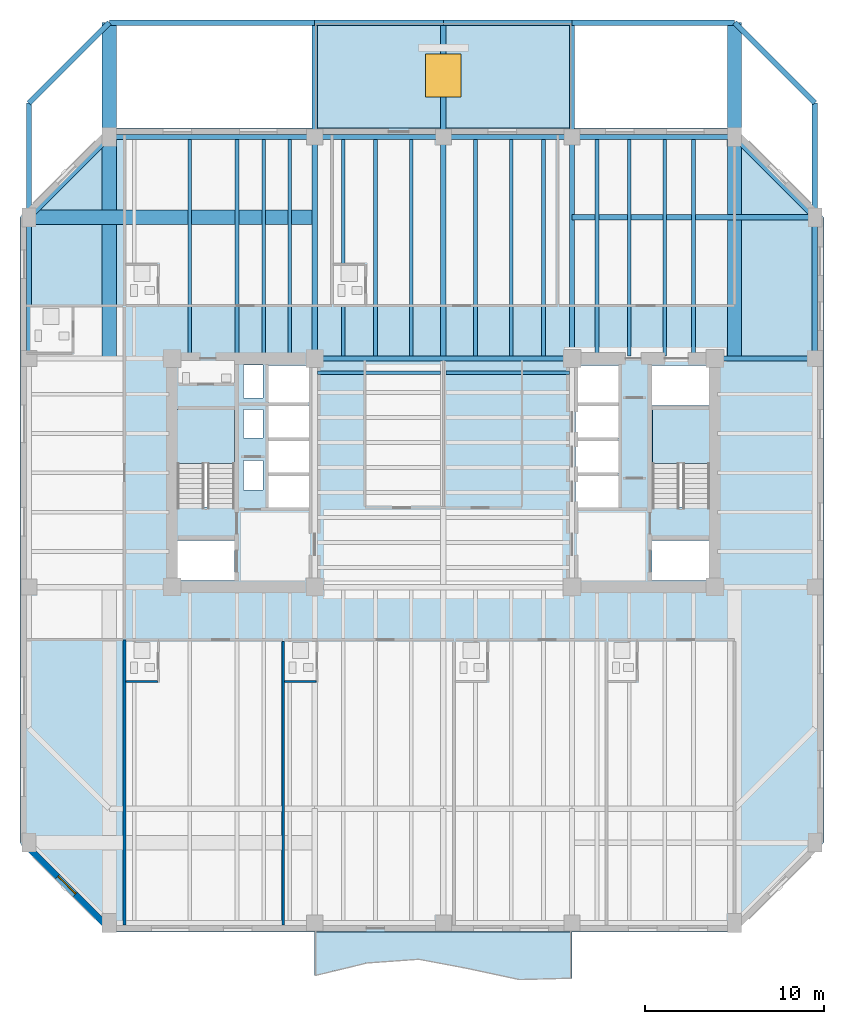
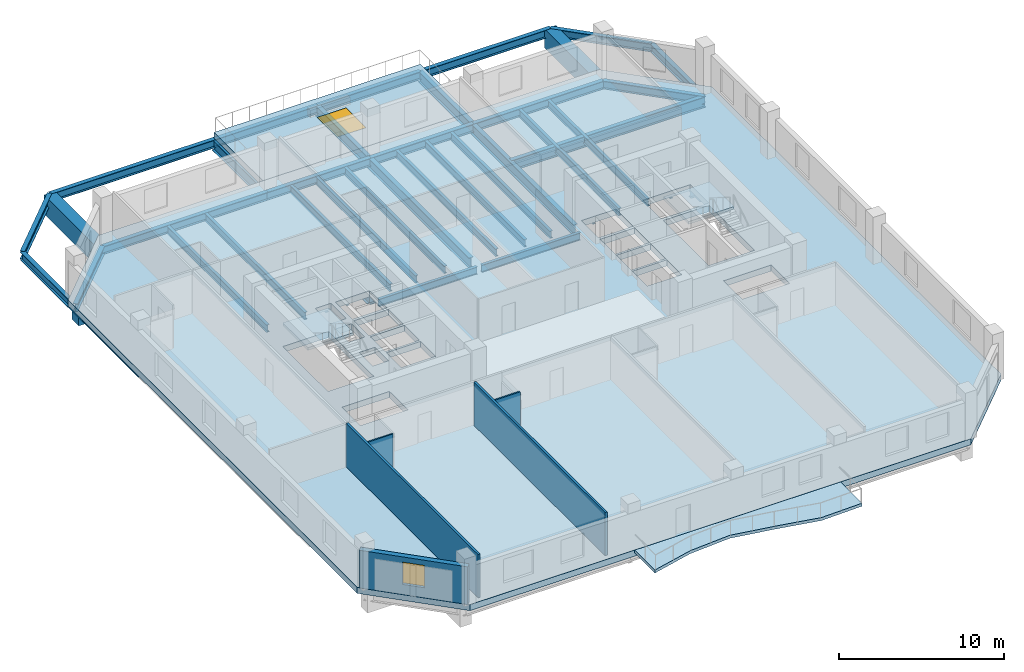
# One storey, part 2 of 11: 39 beams, 5 slabs, 5 walls, 2 windows, 2 openings, 2 elements without a shape of their own.
"""IFC4 building model written with IfcOpenShell, lengths in metres."""

from ifc_helpers import new_model, si_unit, direction, frame, frame_2d, origin, origin_2d, place, context, subcontext, project, spatial, polyline, rectangle, i_section, outline, extrude, material, layer, layer_set, material_profile, profile_set, type_object, element, fill, aggregate, save


model = new_model("IFC4")

# Units and contexts
model_context = context("Model", 3, precision=1e-05, world=origin(), true_north=direction((0.0, 1.0)))
body_context = subcontext(model_context, "Body", "Model", "MODEL_VIEW")
ifc_project = project(units=[si_unit("LENGTHUNIT", "METRE"), si_unit("AREAUNIT", "SQUARE_METRE"), si_unit("VOLUMEUNIT", "CUBIC_METRE"), si_unit("PLANEANGLEUNIT", "RADIAN"), si_unit("MASSUNIT", "GRAM", prefix="KILO")], contexts=[model_context])

# Site, building, storey
site_placement = place(None, origin())
site = spatial("IfcSite", under=ifc_project, at=site_placement, CompositionType="ELEMENT")
building_placement = place(site_placement, origin())
building = spatial("IfcBuilding", under=site, at=building_placement, Name="Kranthara Brick Stack", CompositionType="ELEMENT")
storey_placement = place(building_placement, frame((0.0, 0.0, 120.300048828125)))
storey = spatial("IfcBuildingStorey", under=building, at=storey_placement, Name="L29", CompositionType="ELEMENT", Elevation=120.300048828125)

# Beams
ifc_material_1 = material(Name="Steel S355", Category="steel")
ifc_material_profile_1 = material_profile(ifc_material_1, i_section(OverallWidth=0.2099609375, OverallDepth=0.550048828125, WebThickness=0.010986328125, FlangeThickness=0.01708984375, at=origin_2d()), Name="IPE 550")
ifc_profile_set_1 = profile_set([ifc_material_profile_1], Name="Steel S355")
beam_type_1 = type_object("IfcBeamType", Name="BM-JST-IPE550", PredefinedType="JOIST", material=ifc_profile_set_1)
for number, where, z_axis, x_axis, name in (
    (1, (20.949951171875, 32.800048828125, -0.72509765625), (1.0, 0.0, 0.0), (0.0, 1.0, 0.0), "L29 Central Floor Joist 073"),
    (2, (28.14990234375, 32.800048828125, -0.72509765625), (1.0, 0.0, 0.0), (0.0, 1.0, 0.0), "L29 Central Floor Joist 074"),
):
    element("IfcBeam", number, at=place(storey_placement, frame(where, z_axis=z_axis, x_axis=x_axis)), inside=storey, type_object=beam_type_1, Name=name, PredefinedType="JOIST", context=body_context, shape_type="SweptSolid", body=[
        extrude(i_section(OverallWidth=0.2099609375, OverallDepth=0.550048828125, WebThickness=0.010986328125, FlangeThickness=0.01708984375, at=origin_2d()), origin(), (0.0, 0.0, 1.0), 6.900146484375),
    ])
for number, where, z_axis, x_axis, name in (
    (3, (13.800048828125, 33.75, -0.72509765625), (0.0, 1.0, 0.0), (-1.0, 0.0, 0.0), "L29 North Wing Floor Joist 078"),
    (4, (16.449951171875, 33.75, -0.72509765625), (0.0, 1.0, 0.0), (-1.0, 0.0, 0.0), "L29 North Wing Floor Joist 080"),
    (5, (17.949951171875, 33.75, -0.72509765625), (0.0, 1.0, 0.0), (-1.0, 0.0, 0.0), "L29 North Wing Floor Joist 082"),
    (6, (19.39990234375, 33.75, -0.72509765625), (0.0, 1.0, 0.0), (-1.0, 0.0, 0.0), "L29 North Wing Floor Joist 084"),
    (7, (22.39990234375, 33.75, -0.72509765625), (0.0, 1.0, 0.0), (-1.0, 0.0, 0.0), "L29 North Wing Floor Joist 086"),
    (8, (24.199951171875, 33.75, -0.72509765625), (0.0, 1.0, 0.0), (-1.0, 0.0, 0.0), "L29 North Wing Floor Joist 088"),
    (9, (26.199951171875, 33.75, -0.72509765625), (0.0, 1.0, 0.0), (-1.0, 0.0, 0.0), "L29 North Wing Floor Joist 090"),
    (10, (29.800048828125, 33.75, -0.72509765625), (0.0, 1.0, 0.0), (-1.0, 0.0, 0.0), "L29 North Wing Floor Joist 092"),
    (11, (31.800048828125, 33.75, -0.72509765625), (0.0, 1.0, 0.0), (-1.0, 0.0, 0.0), "L29 North Wing Floor Joist 094"),
    (12, (33.60009765625, 33.75, -0.72509765625), (0.0, 1.0, 0.0), (-1.0, 0.0, 0.0), "L29 North Wing Floor Joist 096"),
    (13, (36.60009765625, 33.75, -0.72509765625), (0.0, 1.0, 0.0), (-1.0, 0.0, 0.0), "L29 North Wing Floor Joist 098"),
    (14, (38.39990234375, 33.75, -0.72509765625), (0.0, 1.0, 0.0), (-1.0, 0.0, 0.0), "L29 North Wing Floor Joist 100"),
    (15, (40.39990234375, 33.75, -0.72509765625), (0.0, 1.0, 0.0), (-1.0, 0.0, 0.0), "L29 North Wing Floor Joist 102"),
    (16, (42.0, 33.75, -0.72509765625), (0.0, 1.0, 0.0), (-1.0, 0.0, 0.0), "L29 North Wing Floor Joist 104"),
):
    element("IfcBeam", number, at=place(storey_placement, frame(where, z_axis=z_axis, x_axis=x_axis)), inside=storey, type_object=beam_type_1, Name=name, PredefinedType="JOIST", context=body_context, shape_type="SweptSolid", body=[
        extrude(i_section(OverallWidth=0.2099609375, OverallDepth=0.550048828125, WebThickness=0.010986328125, FlangeThickness=0.01708984375, at=origin_2d()), origin(), (0.0, 0.0, 1.0), 12.10009765625),
    ])
ifc_material_2 = material(Name="Steel S355", Category="steel")
ifc_material_profile_2 = material_profile(ifc_material_2, i_section(OverallWidth=0.300048828125, OverallDepth=0.60009765625, WebThickness=0.015380859375, FlangeThickness=0.030029296875, at=origin_2d()), Name="HEB 600")
ifc_profile_set_2 = profile_set([ifc_material_profile_2], Name="Steel S355")
beam_type_2 = type_object("IfcBeamType", Name="BM-STL-HEB600", PredefinedType="BEAM", material=ifc_profile_set_2)
beam_1_placement = place(storey_placement, frame((9.300048828125, 52.39990234375, -0.75), z_axis=(1.0, 0.0, 0.0), x_axis=(0.0, 1.0, 0.0)))
element("IfcBeam", 17, at=beam_1_placement, inside=storey, type_object=beam_type_2, Name="L29 Perimeter Spandrel Beam 009", PredefinedType="BEAM", context=body_context, shape_type="SweptSolid", body=[
    extrude(i_section(OverallWidth=0.300048828125, OverallDepth=0.60009765625, WebThickness=0.015380859375, FlangeThickness=0.030029296875, at=origin_2d()), origin(), (0.0, 0.0, 1.0), 11.5),
])
for number, where, z_axis, x_axis, name in (
    (18, (20.800048828125, 52.39990234375, -0.75), (1.0, 0.0, 0.0), (0.0, 1.0, 0.0), "L29 Perimeter Spandrel Beam 010"),
    (19, (28.0, 52.39990234375, -0.75), (1.0, 0.0, 0.0), (0.0, 1.0, 0.0), "L29 Perimeter Spandrel Beam 011"),
):
    element("IfcBeam", number, at=place(storey_placement, frame(where, z_axis=z_axis, x_axis=x_axis)), inside=storey, type_object=beam_type_2, Name=name, PredefinedType="BEAM", context=body_context, shape_type="SweptSolid", body=[
        extrude(i_section(OverallWidth=0.300048828125, OverallDepth=0.60009765625, WebThickness=0.015380859375, FlangeThickness=0.030029296875, at=origin_2d()), origin(), (0.0, 0.0, 1.0), 7.199951171875),
    ])
beam_2_placement = place(storey_placement, frame((35.199951171875, 52.39990234375, -0.75), z_axis=(1.0, 0.0, 0.0), x_axis=(0.0, 1.0, 0.0)))
element("IfcBeam", 20, at=beam_2_placement, inside=storey, type_object=beam_type_2, Name="L29 Perimeter Spandrel Beam 012", PredefinedType="BEAM", context=body_context, shape_type="SweptSolid", body=[
    extrude(i_section(OverallWidth=0.300048828125, OverallDepth=0.60009765625, WebThickness=0.015380859375, FlangeThickness=0.030029296875, at=origin_2d()), origin(), (0.0, 0.0, 1.0), 9.10009765625),
])
for number, where, z_axis, x_axis, name in (
    (21, (4.800048828125, 33.60009765625, -0.75), (0.0, 1.0, 0.0), (-1.0, 0.0, 0.0), "L29 Perimeter Spandrel Beam 015"),
    (22, (48.800048828125, 33.60009765625, -0.75), (0.0, 1.0, 0.0), (-1.0, 0.0, 0.0), "L29 Perimeter Spandrel Beam 018"),
):
    element("IfcBeam", number, at=place(storey_placement, frame(where, z_axis=z_axis, x_axis=x_axis)), inside=storey, type_object=beam_type_2, Name=name, PredefinedType="BEAM", context=body_context, shape_type="SweptSolid", body=[
        extrude(i_section(OverallWidth=0.300048828125, OverallDepth=0.60009765625, WebThickness=0.015380859375, FlangeThickness=0.030029296875, at=origin_2d()), origin(), (0.0, 0.0, 1.0), 14.2998046875),
    ])
for number, where, z_axis, x_axis, name in (
    (23, (9.300048828125, 52.39990234375, -0.75), (-0.707106781187, -0.707106781187, 0.0), (0.707106781187, -0.707106781187, 0.0), "L29 Chamfer Corner Spandrel 021"),
    (24, (44.300048828125, 52.39990234375, -0.75), (0.707106781187, -0.707106781187, 0.0), (0.707106781187, 0.707106781187, 0.0), "L29 Chamfer Corner Spandrel 022"),
):
    element("IfcBeam", number, at=place(storey_placement, frame(where, z_axis=z_axis, x_axis=x_axis)), inside=storey, type_object=beam_type_2, Name=name, PredefinedType="BEAM", context=body_context, shape_type="SweptSolid", body=[
        extrude(i_section(OverallWidth=0.300048828125, OverallDepth=0.60009765625, WebThickness=0.015380859375, FlangeThickness=0.030029296875, at=origin_2d()), origin(), (0.0, 0.0, 1.0), 6.364013671875),
    ])
beam_3_placement = place(storey_placement, frame((9.300048828125, 46.0, -0.75), z_axis=(1.0, 0.0, 0.0), x_axis=(0.0, 1.0, 0.0)))
element("IfcBeam", 25, at=beam_3_placement, inside=storey, type_object=beam_type_2, Name="L29 Perimeter Spandrel Beam 027", PredefinedType="BEAM", context=body_context, shape_type="SweptSolid", body=[
    extrude(i_section(OverallWidth=0.300048828125, OverallDepth=0.60009765625, WebThickness=0.015380859375, FlangeThickness=0.030029296875, at=origin_2d()), origin(), (0.0, 0.0, 1.0), 11.5),
])
for number, where, z_axis, x_axis, name in (
    (26, (20.800048828125, 46.0, -0.75), (1.0, 0.0, 0.0), (0.0, 1.0, 0.0), "L29 Perimeter Spandrel Beam 028"),
    (27, (28.0, 46.0, -0.75), (1.0, 0.0, 0.0), (0.0, 1.0, 0.0), "L29 Perimeter Spandrel Beam 029"),
):
    element("IfcBeam", number, at=place(storey_placement, frame(where, z_axis=z_axis, x_axis=x_axis)), inside=storey, type_object=beam_type_2, Name=name, PredefinedType="BEAM", context=body_context, shape_type="SweptSolid", body=[
        extrude(i_section(OverallWidth=0.300048828125, OverallDepth=0.60009765625, WebThickness=0.015380859375, FlangeThickness=0.030029296875, at=origin_2d()), origin(), (0.0, 0.0, 1.0), 7.199951171875),
    ])
beam_4_placement = place(storey_placement, frame((35.199951171875, 46.0, -0.75), z_axis=(1.0, 0.0, 0.0), x_axis=(0.0, 1.0, 0.0)))
element("IfcBeam", 28, at=beam_4_placement, inside=storey, type_object=beam_type_2, Name="L29 Perimeter Spandrel Beam 030", PredefinedType="BEAM", context=body_context, shape_type="SweptSolid", body=[
    extrude(i_section(OverallWidth=0.300048828125, OverallDepth=0.60009765625, WebThickness=0.015380859375, FlangeThickness=0.030029296875, at=origin_2d()), origin(), (0.0, 0.0, 1.0), 9.10009765625),
])
for number, where, z_axis, x_axis, name in (
    (29, (9.300048828125, 46.0, -0.75), (-0.707106781187, -0.707106781187, 0.0), (0.707106781187, -0.707106781187, 0.0), "L29 Chamfer Corner Spandrel 033"),
    (30, (44.300048828125, 46.0, -0.75), (0.707106781187, -0.707106781187, 0.0), (0.707106781187, 0.707106781187, 0.0), "L29 Chamfer Corner Spandrel 034"),
):
    element("IfcBeam", number, at=place(storey_placement, frame(where, z_axis=z_axis, x_axis=x_axis)), inside=storey, type_object=beam_type_2, Name=name, PredefinedType="BEAM", context=body_context, shape_type="SweptSolid", body=[
        extrude(i_section(OverallWidth=0.300048828125, OverallDepth=0.60009765625, WebThickness=0.015380859375, FlangeThickness=0.030029296875, at=origin_2d()), origin(), (0.0, 0.0, 1.0), 6.364013671875),
    ])
ifc_material_3 = material(Name="Steel S355", Category="steel")
ifc_material_profile_3 = material_profile(ifc_material_3, i_section(OverallWidth=0.300048828125, OverallDepth=0.800048828125, WebThickness=0.017578125, FlangeThickness=0.032958984375, at=origin_2d()), Name="HEB 800")
ifc_profile_set_3 = profile_set([ifc_material_profile_3], Name="Steel S355")
beam_type_3 = type_object("IfcBeamType", Name="BM-TR-HEB800", PredefinedType="BEAM", material=ifc_profile_set_3)
beam_5_placement = place(storey_placement, frame((20.800048828125, 33.60009765625, -0.85009765625), z_axis=(1.0, 0.0, 0.0), x_axis=(0.0, 1.0, 0.0)))
element("IfcBeam", 31, at=beam_5_placement, inside=storey, type_object=beam_type_3, Name="L29 Core Coupling Beam 002", PredefinedType="BEAM", context=body_context, shape_type="SweptSolid", body=[
    extrude(i_section(OverallWidth=0.300048828125, OverallDepth=0.800048828125, WebThickness=0.017578125, FlangeThickness=0.032958984375, at=origin_2d()), origin(), (0.0, 0.0, 1.0), 14.39990234375),
])
beam_6_placement = place(storey_placement, frame((20.800048828125, 33.60009765625, -0.85009765625), z_axis=(0.0, 1.0, 0.0), x_axis=(-1.0, 0.0, 0.0)))
element("IfcBeam", 32, at=beam_6_placement, inside=storey, type_object=beam_type_3, Name="L29 Primary Grid Girder 037", PredefinedType="BEAM", context=body_context, shape_type="SweptSolid", body=[
    extrude(i_section(OverallWidth=0.300048828125, OverallDepth=0.800048828125, WebThickness=0.017578125, FlangeThickness=0.032958984375, at=origin_2d()), origin(), (0.0, 0.0, 1.0), 18.7998046875),
])
beam_7_placement = place(storey_placement, frame((28.0, 33.75, -0.85009765625), z_axis=(0.0, 1.0, 0.0), x_axis=(-1.0, 0.0, 0.0)))
element("IfcBeam", 33, at=beam_7_placement, inside=storey, type_object=beam_type_3, Name="L29 Primary Grid Girder 041", PredefinedType="BEAM", context=body_context, shape_type="SweptSolid", body=[
    extrude(i_section(OverallWidth=0.300048828125, OverallDepth=0.800048828125, WebThickness=0.017578125, FlangeThickness=0.032958984375, at=origin_2d()), origin(), (0.0, 0.0, 1.0), 18.64990234375),
])
beam_8_placement = place(storey_placement, frame((35.199951171875, 33.60009765625, -0.85009765625), z_axis=(0.0, 1.0, 0.0), x_axis=(-1.0, 0.0, 0.0)))
element("IfcBeam", 34, at=beam_8_placement, inside=storey, type_object=beam_type_3, Name="L29 Primary Grid Girder 044", PredefinedType="BEAM", context=body_context, shape_type="SweptSolid", body=[
    extrude(i_section(OverallWidth=0.300048828125, OverallDepth=0.800048828125, WebThickness=0.017578125, FlangeThickness=0.032958984375, at=origin_2d()), origin(), (0.0, 0.0, 1.0), 18.7998046875),
])
beam_9_placement = place(storey_placement, frame((43.199951171875, 33.60009765625, -0.85009765625), z_axis=(1.0, 0.0, 0.0), x_axis=(0.0, 1.0, 0.0)))
element("IfcBeam", 35, at=beam_9_placement, inside=storey, type_object=beam_type_3, Name="L29 Primary Grid Girder 048", PredefinedType="BEAM", context=body_context, shape_type="SweptSolid", body=[
    extrude(i_section(OverallWidth=0.300048828125, OverallDepth=0.800048828125, WebThickness=0.017578125, FlangeThickness=0.032958984375, at=origin_2d()), origin(), (0.0, 0.0, 1.0), 5.60009765625),
])
beam_10_placement = place(storey_placement, frame((48.800048828125, 41.5, -0.85009765625), z_axis=(-1.0, 0.0, 0.0), x_axis=(0.0, -1.0, 0.0)))
element("IfcBeam", 36, at=beam_10_placement, inside=storey, type_object=beam_type_3, Name="L29 Transfer Tie Girder 056", PredefinedType="BEAM", context=body_context, shape_type="SweptSolid", body=[
    extrude(i_section(OverallWidth=0.300048828125, OverallDepth=0.800048828125, WebThickness=0.017578125, FlangeThickness=0.032958984375, at=origin_2d()), origin(), (0.0, 0.0, 1.0), 13.60009765625),
])
ifc_material_4 = material(Name="Post-tensioned concrete C50/60", Category="concrete")
ifc_material_profile_4 = material_profile(ifc_material_4, rectangle(XDim=0.800048828125, YDim=1.39990234375, at=origin_2d()), Name="PT 800x1400")
ifc_profile_set_4 = profile_set([ifc_material_profile_4], Name="Post-tensioned concrete C50/60")
beam_type_4 = type_object("IfcBeamType", Name="BM-TR-PT1400", PredefinedType="T_BEAM", material=ifc_profile_set_4)
for number, where, z_axis, x_axis, name in (
    (37, (9.300048828125, 52.39990234375, -1.150146484375), (0.0, -1.0, 0.0), (1.0, 0.0, 0.0), "L29 Transfer Tie Girder 050"),
    (38, (44.300048828125, 52.39990234375, -1.150146484375), (0.0, -1.0, 0.0), (1.0, 0.0, 0.0), "L29 Transfer Tie Girder 052"),
):
    element("IfcBeam", number, at=place(storey_placement, frame(where, z_axis=z_axis, x_axis=x_axis)), inside=storey, type_object=beam_type_4, Name=name, PredefinedType="T_BEAM", context=body_context, shape_type="SweptSolid", body=[
        extrude(rectangle(XDim=0.800048828125, YDim=1.39990234375, at=origin_2d()), origin(), (0.0, 0.0, 1.0), 18.7998046875),
    ])
beam_11_placement = place(storey_placement, frame((4.800048828125, 41.5, -1.150146484375), z_axis=(1.0, 0.0, 0.0), x_axis=(0.0, 1.0, 0.0)))
element("IfcBeam", 39, at=beam_11_placement, inside=storey, type_object=beam_type_4, Name="L29 Transfer Tie Girder 055", PredefinedType="T_BEAM", context=body_context, shape_type="SweptSolid", body=[
    extrude(rectangle(XDim=0.800048828125, YDim=1.39990234375, at=origin_2d()), origin(), (0.0, 0.0, 1.0), 16.0),
])

# Slab
ifc_material_5 = material(Name="Concrete C45/55", Category="concrete")
ifc_layer_1 = layer(ifc_material_5, 0.219970703125)
ifc_layer_set_1 = layer_set([ifc_layer_1], Name="Concrete C45/55")
slab_type_1 = type_object("IfcSlabType", Name="SLB-BALC-220", PredefinedType="FLOOR", material=ifc_layer_set_1)
slab_1_placement = place(storey_placement, frame((0.0, 0.0, -0.219970703125)))
element("IfcSlab", 40, at=slab_1_placement, inside=storey, type_object=slab_type_1, Name="L29 South Rippling Balcony Slab", PredefinedType="FLOOR", context=body_context, shape_type="SweptSolid", body=[
    extrude(outline(polyline([(20.800048828125, 1.5), (35.199951171875, 1.5), (35.199951171875, -1.096435546875), (32.320068359375, -1.18115234375), (29.43994140625, -0.56640625), (26.56005859375, -0.025390625), (23.679931640625, -0.238525390625), (20.800048828125, -0.9375), (20.800048828125, 1.5)])), origin(), (0.0, 0.0, 1.0), 0.219970703125),
])

# Stair, slab
ifc_material_6 = material(Name="Concrete C45/55", Category="concrete")
stair_type = type_object("IfcStairType", Name="ST-CORE-20R", PredefinedType="HALF_TURN_STAIR", material=ifc_material_6)
stair_1_placement = place(storey_placement, origin())
stair_1 = element("IfcStair", 41, at=stair_1_placement, inside=storey, type_object=stair_type, Name="L29 West Core Protected Exit Stair ST01", PredefinedType="HALF_TURN_STAIR")
ifc_material_7 = material(Name="Concrete C45/55", Category="concrete")
ifc_layer_2 = layer(ifc_material_7, 0.199951171875)
ifc_layer_set_2 = layer_set([ifc_layer_2], Name="Concrete C45/55")
slab_type_2 = type_object("IfcSlabType", Name="SLB-LANDING-200", PredefinedType="LANDING", material=ifc_layer_set_2)
slab_2_placement = place(storey_placement, frame((0.0, 0.0, 1.550048828125)))
slab_2 = element("IfcSlab", 42, at=slab_2_placement, type_object=slab_type_2, Name="ST01 landing 1", PredefinedType="LANDING", context=body_context, shape_type="SweptSolid", body=[
    extrude(outline(polyline([(16.300048828125, 27.719970703125), (16.300048828125, 30.75), (13.10009765625, 30.75), (13.10009765625, 27.719970703125), (16.300048828125, 27.719970703125)])), origin(), (0.0, 0.0, 1.0), 0.199951171875),
])
aggregate(stair_1, [slab_2])

stair_2_placement = place(storey_placement, origin())
stair_2 = element("IfcStair", 43, at=stair_2_placement, inside=storey, type_object=stair_type, Name="L29 East Core Protected Exit Stair ST02", PredefinedType="HALF_TURN_STAIR")
slab_3_placement = place(storey_placement, frame((0.0, 0.0, 1.550048828125)))
slab_3 = element("IfcSlab", 44, at=slab_3_placement, type_object=slab_type_2, Name="ST02 landing 1", PredefinedType="LANDING", context=body_context, shape_type="SweptSolid", body=[
    extrude(outline(polyline([(42.89990234375, 27.719970703125), (42.89990234375, 30.75), (39.699951171875, 30.75), (39.699951171875, 27.719970703125), (42.89990234375, 27.719970703125)])), origin(), (0.0, 0.0, 1.0), 0.199951171875),
])
aggregate(stair_2, [slab_3])

# Slab, opening, window
ifc_material_8 = material(Name="Concrete C45/55", Category="concrete")
ifc_layer_3 = layer(ifc_material_8, 0.449951171875)
ifc_layer_set_3 = layer_set([ifc_layer_3], Name="Concrete C45/55")
slab_type_3 = type_object("IfcSlabType", Name="SLB-TERR-450", PredefinedType="ROOF", material=ifc_layer_set_3)
slab_4_placement = place(storey_placement, frame((0.0, 0.0, -0.449951171875)))
slab_4 = element("IfcSlab", 45, at=slab_4_placement, inside=storey, type_object=slab_type_3, Name="L29 North Planted Sky Garden", PredefinedType="ROOF", context=body_context, shape_type="SweptSolid", body=[
    extrude(outline(polyline([(20.800048828125, 46.5), (35.199951171875, 46.5), (35.199951171875, 52.39990234375), (20.800048828125, 52.39990234375), (20.800048828125, 46.5)]), holes=[polyline([(27.0, 48.25), (29.0, 48.25), (29.0, 50.64990234375), (27.0, 50.64990234375), (27.0, 48.25)])]), origin(), (0.0, 0.0, 1.0), 0.449951171875),
])
opening_1_placement = place(slab_4_placement, frame((28.0, 49.449951171875, 0.0)))
opening_1 = element("IfcOpeningElement", 46, at=opening_1_placement, cuts=slab_4, Name="Opening WN12", PredefinedType="OPENING", context=body_context, shape_type="SweptSolid", body=[
    extrude(rectangle(XDim=2.0, YDim=2.39990234375, at=origin_2d()), origin(), (0.0, 0.0, 1.0), 0.449951171875),
])
ifc_material_9 = material(Name="Double-glazed low-E solar control glass", Category="glass")
window_type_1 = type_object("IfcWindowType", Name="WN-SKY-2000x2400", PartitioningType="SINGLE_PANEL", PredefinedType="SKYLIGHT", material=ifc_material_9)
window_1_placement = place(opening_1_placement, frame((0.0, 0.0, 0.39990234375)))
window_1 = element("IfcWindow", 47, at=window_1_placement, inside=storey, type_object=window_type_1, Name="L29 Terrace Roof Skylight 05", OverallHeight=2.39990234375, OverallWidth=2.0, PartitioningType="SINGLE_PANEL", PredefinedType="SKYLIGHT", context=body_context, shape_type="SweptSolid", body=[
    extrude(rectangle(XDim=2.0, YDim=2.39990234375, at=origin_2d()), origin(), (0.0, 0.0, 1.0), 0.050048828125),
])
fill(opening_1, window_1)

# Slab
ifc_material_10 = material(Name="Post-tensioned concrete C50/60", Category="concrete")
ifc_layer_4 = layer(ifc_material_10, 0.449951171875)
ifc_layer_set_4 = layer_set([ifc_layer_4], Name="Post-tensioned concrete C50/60")
slab_type_4 = type_object("IfcSlabType", Name="SLB-TRANS-450", PredefinedType="FLOOR", material=ifc_layer_set_4)
slab_5_placement = place(storey_placement, frame((0.0, 0.0, -0.449951171875)))
element("IfcSlab", 48, at=slab_5_placement, inside=storey, type_object=slab_type_4, Name="L29 Structural Floor Plate", PredefinedType="FLOOR", context=body_context, shape_type="SweptSolid", body=[
    extrude(outline(polyline([(9.300048828125, 1.5), (44.300048828125, 1.5), (49.300048828125, 6.5), (49.300048828125, 41.5), (44.300048828125, 46.5), (9.300048828125, 46.5), (4.300048828125, 41.5), (4.300048828125, 6.5), (9.300048828125, 1.5)]), holes=[polyline([(13.10009765625, 25.280029296875), (16.300048828125, 25.280029296875), (16.300048828125, 30.75), (13.10009765625, 30.75), (13.10009765625, 25.280029296875)]), polyline([(39.699951171875, 25.280029296875), (42.89990234375, 25.280029296875), (42.89990234375, 30.75), (39.699951171875, 30.75), (39.699951171875, 25.280029296875)]), polyline([(13.0, 21.179931640625), (16.320068359375, 21.179931640625), (16.320068359375, 23.419921875), (13.0, 23.419921875), (13.0, 21.179931640625)]), polyline([(39.679931640625, 21.179931640625), (43.0, 21.179931640625), (43.0, 23.419921875), (39.679931640625, 23.419921875), (39.679931640625, 21.179931640625)]), polyline([(39.679931640625, 30.97998046875), (43.0, 30.97998046875), (43.0, 33.219970703125), (39.679931640625, 33.219970703125), (39.679931640625, 30.97998046875)]), polyline([(18.199951171875, 25.25), (20.60009765625, 25.25), (20.60009765625, 27.050048828125), (18.199951171875, 27.050048828125), (18.199951171875, 25.25)]), polyline([(18.199951171875, 27.199951171875), (20.60009765625, 27.199951171875), (20.60009765625, 29.0), (18.199951171875, 29.0), (18.199951171875, 27.199951171875)]), polyline([(18.199951171875, 29.14990234375), (20.60009765625, 29.14990234375), (20.60009765625, 30.949951171875), (18.199951171875, 30.949951171875), (18.199951171875, 29.14990234375)]), polyline([(35.39990234375, 25.25), (37.800048828125, 25.25), (37.800048828125, 27.050048828125), (35.39990234375, 27.050048828125), (35.39990234375, 25.25)]), polyline([(35.39990234375, 27.199951171875), (37.800048828125, 27.199951171875), (37.800048828125, 29.0), (35.39990234375, 29.0), (35.39990234375, 27.199951171875)]), polyline([(35.39990234375, 29.14990234375), (37.800048828125, 29.14990234375), (37.800048828125, 30.949951171875), (35.39990234375, 30.949951171875), (35.39990234375, 29.14990234375)]), polyline([(18.199951171875, 31.14990234375), (20.60009765625, 31.14990234375), (20.60009765625, 33.219970703125), (18.199951171875, 33.219970703125), (18.199951171875, 31.14990234375)]), polyline([(35.39990234375, 31.14990234375), (37.800048828125, 31.14990234375), (37.800048828125, 33.219970703125), (35.39990234375, 33.219970703125), (35.39990234375, 31.14990234375)]), polyline([(16.800048828125, 26.25), (17.89990234375, 26.25), (17.89990234375, 27.89990234375), (16.800048828125, 27.89990234375), (16.800048828125, 26.25)]), polyline([(16.800048828125, 29.14990234375), (17.89990234375, 29.14990234375), (17.89990234375, 30.75), (16.800048828125, 30.75), (16.800048828125, 29.14990234375)]), polyline([(16.800048828125, 31.39990234375), (17.89990234375, 31.39990234375), (17.89990234375, 33.25), (16.800048828125, 33.25), (16.800048828125, 31.39990234375)])]), origin(), (0.0, 0.0, 1.0), 0.449951171875),
])

# Wall, opening, window
ifc_material_11 = material(Name="Kiln-fired clay brick masonry M15", Category="masonry")
ifc_layer_5 = layer(ifc_material_11, 0.35009765625)
ifc_layer_set_5 = layer_set([ifc_layer_5], Name="Kiln-fired clay brick masonry M15")
wall_type_1 = type_object("IfcWallType", Name="WL-BRK-SPND-350", PredefinedType="STANDARD", material=ifc_layer_set_5)
wall_1_placement = place(storey_placement, frame((9.300048828125, 1.695068359375, 0.0), z_axis=(0.0, 0.0, 1.0), x_axis=(-0.707106781187, 0.707106781187, 0.0)))
wall_1 = element("IfcWall", 49, at=wall_1_placement, inside=storey, type_object=wall_type_1, Name="L29 Exterior Brick Facade Wall SW 1", PredefinedType="STANDARD", context=body_context, shape_type="SweptSolid", body=[
    extrude(rectangle(XDim=6.795166015625, YDim=0.35009765625, at=frame_2d((3.3974609375, 0.0))), origin(), (0.0, 0.0, 1.0), 2.784912109375),
])
opening_2_placement = place(wall_1_placement, frame((2.697998046875, 0.0, 0.75)))
opening_2 = element("IfcOpeningElement", 50, at=opening_2_placement, cuts=wall_1, Name="Opening WN10", PredefinedType="OPENING", context=body_context, shape_type="SweptSolid", body=[
    extrude(rectangle(XDim=1.39990234375, YDim=1.64990234375, at=frame_2d((0.699951171875, 0.824951171875))), frame((0.0, 0.18505859375, 0.0), z_axis=(0.0, -1.0, 0.0), x_axis=(1.0, 0.0, 0.0)), (0.0, 0.0, 1.0), 0.3701171875),
])
ifc_material_12 = material(Name="Double-glazed low-E solar control glass", Category="glass")
window_type_2 = type_object("IfcWindowType", Name="WN-CHM-1400x1750", PartitioningType="SINGLE_PANEL", PredefinedType="WINDOW", material=ifc_material_12)
window_2_placement = place(opening_2_placement, origin())
window_2 = element("IfcWindow", 51, at=window_2_placement, inside=storey, type_object=window_type_2, Name="L29 SW Chamfer Corner Window", OverallHeight=1.64990234375, OverallWidth=1.39990234375, PartitioningType="SINGLE_PANEL", PredefinedType="WINDOW", context=body_context, shape_type="SweptSolid", body=[
    extrude(rectangle(XDim=1.39990234375, YDim=1.64990234375, at=frame_2d((0.699951171875, 0.824951171875))), frame((0.0, -0.010009765625, 0.0), z_axis=(0.0, -1.0, 0.0), x_axis=(1.0, 0.0, 0.0)), (0.0, 0.0, 1.0), 0.06005859375),
])
fill(opening_2, window_2)

# Walls
ifc_material_13 = material(Name="Moisture-resistant wet-room partition", Category="other")
ifc_layer_6 = layer(ifc_material_13, 0.10009765625)
ifc_layer_set_6 = layer_set([ifc_layer_6], Name="Moisture-resistant wet-room partition")
wall_type_2 = type_object("IfcWallType", Name="WL-PART-100", PredefinedType="PARTITIONING", material=ifc_layer_set_6)
for number, where, z_axis, x_axis, name in (
    (52, (10.22998046875, 15.52001953125, 0.0), (0.0, 0.0, 1.0), (1.0, 0.0, 0.0), "L29 Interior Partition 013"),
    (53, (19.10888671875, 15.52001953125, 0.0), (0.0, 0.0, 1.0), (1.0, 0.0, 0.0), "L29 Interior Partition 018"),
):
    element("IfcWall", number, at=place(storey_placement, frame(where, z_axis=z_axis, x_axis=x_axis)), inside=storey, type_object=wall_type_2, Name=name, PredefinedType="PARTITIONING", context=body_context, shape_type="SweptSolid", body=[
        extrude(rectangle(XDim=1.76513671875, YDim=0.10009765625, at=frame_2d((0.882568359375, 0.0))), origin(), (0.0, 0.0, 1.0), 3.199951171875),
    ])
ifc_material_14 = material(Name="Fire-rated gypsum board partition", Category="other")
ifc_layer_7 = layer(ifc_material_14, 0.14990234375)
ifc_layer_set_7 = layer_set([ifc_layer_7], Name="Fire-rated gypsum board partition")
wall_type_3 = type_object("IfcWallType", Name="WL-PART-150", PredefinedType="PARTITIONING", material=ifc_layer_set_7)
wall_2_placement = place(storey_placement, frame((10.14990234375, 1.875, 0.0), z_axis=(0.0, 0.0, 1.0), x_axis=(0.0, 1.0, 0.0)))
element("IfcWall", 54, at=wall_2_placement, inside=storey, type_object=wall_type_3, Name="L29 Interior Partition 009", PredefinedType="PARTITIONING", context=body_context, shape_type="SweptSolid", body=[
    extrude(rectangle(XDim=15.97509765625, YDim=0.14990234375, at=frame_2d((7.987548828125, 0.0))), origin(), (0.0, 0.0, 1.0), 3.199951171875),
])
wall_3_placement = place(storey_placement, frame((19.029052734375, 1.875, 0.0), z_axis=(0.0, 0.0, 1.0), x_axis=(0.0, 1.0, 0.0)))
element("IfcWall", 55, at=wall_3_placement, inside=storey, type_object=wall_type_3, Name="L29 Interior Partition 014", PredefinedType="PARTITIONING", context=body_context, shape_type="SweptSolid", body=[
    extrude(rectangle(XDim=15.89501953125, YDim=0.14990234375, at=frame_2d((7.947509765625, 0.0))), origin(), (0.0, 0.0, 1.0), 3.199951171875),
])

save(model, "model.ifc")
